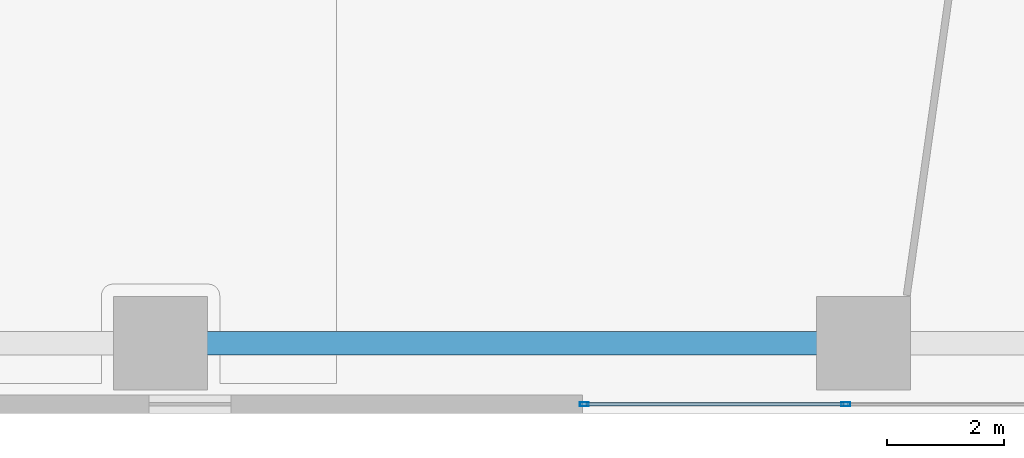
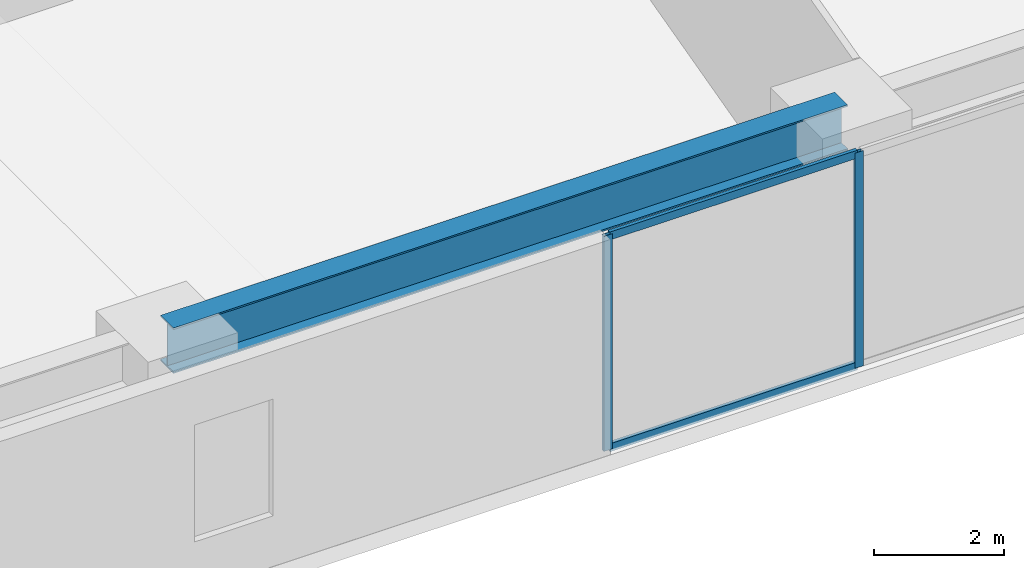
# One storey, part 2 of 24: 4 members, 1 beam, 1 element without a shape of its own.
"""IFC4 building model written with IfcOpenShell, lengths in metres."""

from ifc_helpers import new_model, si_unit, direction, frame, origin, origin_2d, place, context, subcontext, project, spatial, hollow_rectangle, i_section, extrude, source, transform, mapped, material, layer, layer_set, material_profile, profile_set, type_object, type_shapes, element, aggregate, save


model = new_model("IFC4")

# Units and contexts
model_context = context("Model", 3, precision=1e-05, world=origin(), true_north=direction((0.0, 1.0)))
body_context = subcontext(model_context, "Body", "Model", "MODEL_VIEW")
ifc_project = project(units=[si_unit("LENGTHUNIT", "METRE"), si_unit("AREAUNIT", "SQUARE_METRE"), si_unit("VOLUMEUNIT", "CUBIC_METRE"), si_unit("PLANEANGLEUNIT", "RADIAN"), si_unit("MASSUNIT", "GRAM", prefix="KILO")], contexts=[model_context])

# Site, building, storey
site_placement = place(None, origin())
site = spatial("IfcSite", under=ifc_project, at=site_placement, CompositionType="ELEMENT")
building_placement = place(site_placement, origin())
building = spatial("IfcBuilding", under=site, at=building_placement, Name="Talar Marvaseh", CompositionType="ELEMENT")
storey_placement = place(building_placement, frame((0.0, 0.0, 9.800048828125)))
storey = spatial("IfcBuildingStorey", under=building, at=storey_placement, Name="L02", CompositionType="ELEMENT", Elevation=9.800048828125)

# Beam
ifc_material_1 = material(Name="Steel S355", Category="steel")
ifc_material_profile_1 = material_profile(ifc_material_1, i_section(OverallWidth=0.39990234375, OverallDepth=0.85498046875, WebThickness=0.018310546875, FlangeThickness=0.029296875, at=origin_2d()), Name="W840x299")
ifc_profile_set_1 = profile_set([ifc_material_profile_1], Name="Steel S355")
beam_type = type_object("IfcBeamType", Name="Concourse Primary Girder W840x299", PredefinedType="BEAM", material=ifc_profile_set_1)
beam_placement = place(storey_placement, frame((10.800048828125, 9.199951171875, 3.87255859375), z_axis=(1.0, 0.0, 0.0), x_axis=(0.0, 1.0, 0.0)))
element("IfcBeam", 1, at=beam_placement, inside=storey, type_object=beam_type, Name="L02 Concourse Primary Girder W840x299", PredefinedType="BEAM", context=body_context, shape_type="SweptSolid", body=[
    extrude(i_section(OverallWidth=0.39990234375, OverallDepth=0.85498046875, WebThickness=0.018310546875, FlangeThickness=0.029296875, at=origin_2d()), origin(), (0.0, 0.0, 1.0), 12.0),
])

# Curtain wall, members
ifc_material_2 = material(Name="Architectural Aluminium", Category="aluminium")
ifc_layer = layer(ifc_material_2, 0.25)
ifc_layer_set = layer_set([ifc_layer], Name="Architectural Aluminium")
curtain_wall_type = type_object("IfcCurtainWallType", Name="Station Podium Monumental Iwan Curtain Wall", PredefinedType="NOTDEFINED", material=ifc_layer_set)
curtain_wall_placement = place(storey_placement, origin())
curtain_wall = element("IfcCurtainWall", 2, at=curtain_wall_placement, inside=storey, type_object=curtain_wall_type, Name="L02 Station Podium Monumental Iwan Curtain Wall", PredefinedType="NOTDEFINED")
ifc_material_profile_2 = material_profile(ifc_material_2, hollow_rectangle(XDim=0.06494140625, YDim=0.14990234375, WallThickness=0.00390625, at=origin_2d()), Name="RHS150x65x4")
ifc_profile_set_2 = profile_set([ifc_material_profile_2], Name="Architectural Aluminium")
member_type_1 = type_object("IfcMemberType", Name="Unitised Curtain Wall Slim Transom RHS150x65x4", PredefinedType="USERDEFINED", material=ifc_profile_set_2)
shared_shape_1 = source(origin(), body_context, "Body", "SweptSolid", [
    extrude(hollow_rectangle(XDim=0.06494140625, YDim=0.14990234375, WallThickness=0.00390625, at=origin_2d()), origin(), (0.0, 0.0, 1.0), 4.402587890625),
])
type_shapes(member_type_1, [shared_shape_1])
member_1_placement = place(storey_placement, frame((22.467529296875, 8.159912109375, 0.032470703125), z_axis=(-1.0, 0.0, 0.0), x_axis=(0.0, -1.0, 0.0)))
member_1 = element("IfcMember", 3, at=member_1_placement, type_object=member_type_1, Name="CW-POD transom 4.1", ObjectType="TRANSOM", PredefinedType="USERDEFINED", context=body_context, shape_type="MappedRepresentation", body=[
    mapped(shared_shape_1, transform((0.0, 0.0, 0.0), x_axis=(1.0, 0.0, 0.0), y_axis=(0.0, 1.0, 0.0), z_axis=(0.0, 0.0, 1.0), scale=1.0)),
])
member_2_placement = place(storey_placement, frame((22.467529296875, 8.159912109375, 4.017333984375), z_axis=(-1.0, 0.0, 0.0), x_axis=(0.0, -1.0, 0.0)))
member_2 = element("IfcMember", 4, at=member_2_placement, type_object=member_type_1, Name="CW-POD transom 4.2", ObjectType="TRANSOM", PredefinedType="USERDEFINED", context=body_context, shape_type="MappedRepresentation", body=[
    mapped(shared_shape_1, transform((0.0, 0.0, 0.0), x_axis=(1.0, 0.0, 0.0), y_axis=(0.0, 1.0, 0.0), z_axis=(0.0, 0.0, 1.0), scale=1.0)),
])
ifc_material_profile_3 = material_profile(ifc_material_2, hollow_rectangle(XDim=0.06494140625, YDim=0.14990234375, WallThickness=0.00390625, at=origin_2d()), Name="RHS150x65x4")
ifc_profile_set_3 = profile_set([ifc_material_profile_3], Name="Architectural Aluminium")
member_type_2 = type_object("IfcMemberType", Name="Unitised Curtain Wall Slim Mullion RHS150x65x4", PredefinedType="MULLION", material=ifc_profile_set_3)
shared_shape_2 = source(origin(), body_context, "Body", "SweptSolid", [
    extrude(hollow_rectangle(XDim=0.06494140625, YDim=0.14990234375, WallThickness=0.00390625, at=origin_2d()), origin(), (0.0, 0.0, 1.0), 4.050048828125),
])
type_shapes(member_type_2, [shared_shape_2])
member_3_placement = place(storey_placement, frame((22.5, 8.159912109375, 0.0), z_axis=(0.0, 0.0, 1.0), x_axis=(0.0, -1.0, 0.0)))
member_3 = element("IfcMember", 5, at=member_3_placement, type_object=member_type_2, Name="CW-POD mullion 4", PredefinedType="MULLION", context=body_context, shape_type="MappedRepresentation", body=[
    mapped(shared_shape_2, transform((0.0, 0.0, 0.0), x_axis=(1.0, 0.0, 0.0), y_axis=(0.0, 1.0, 0.0), z_axis=(0.0, 0.0, 1.0), scale=1.0)),
])
member_4_placement = place(storey_placement, frame((18.032470703125, 8.159912109375, 0.0), z_axis=(0.0, 0.0, 1.0), x_axis=(0.0, -1.0, 0.0)))
member_4 = element("IfcMember", 6, at=member_4_placement, type_object=member_type_2, Name="CW-POD mullion 5", PredefinedType="MULLION", context=body_context, shape_type="MappedRepresentation", body=[
    mapped(shared_shape_2, transform((0.0, 0.0, 0.0), x_axis=(1.0, 0.0, 0.0), y_axis=(0.0, 1.0, 0.0), z_axis=(0.0, 0.0, 1.0), scale=1.0)),
])
aggregate(curtain_wall, [member_3, member_4, member_1, member_2])

save(model, "model.ifc")
